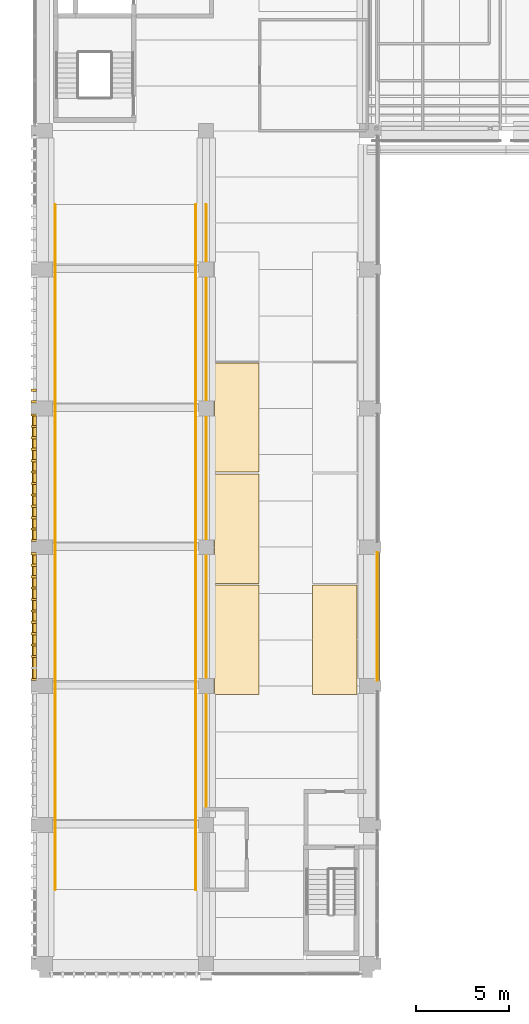
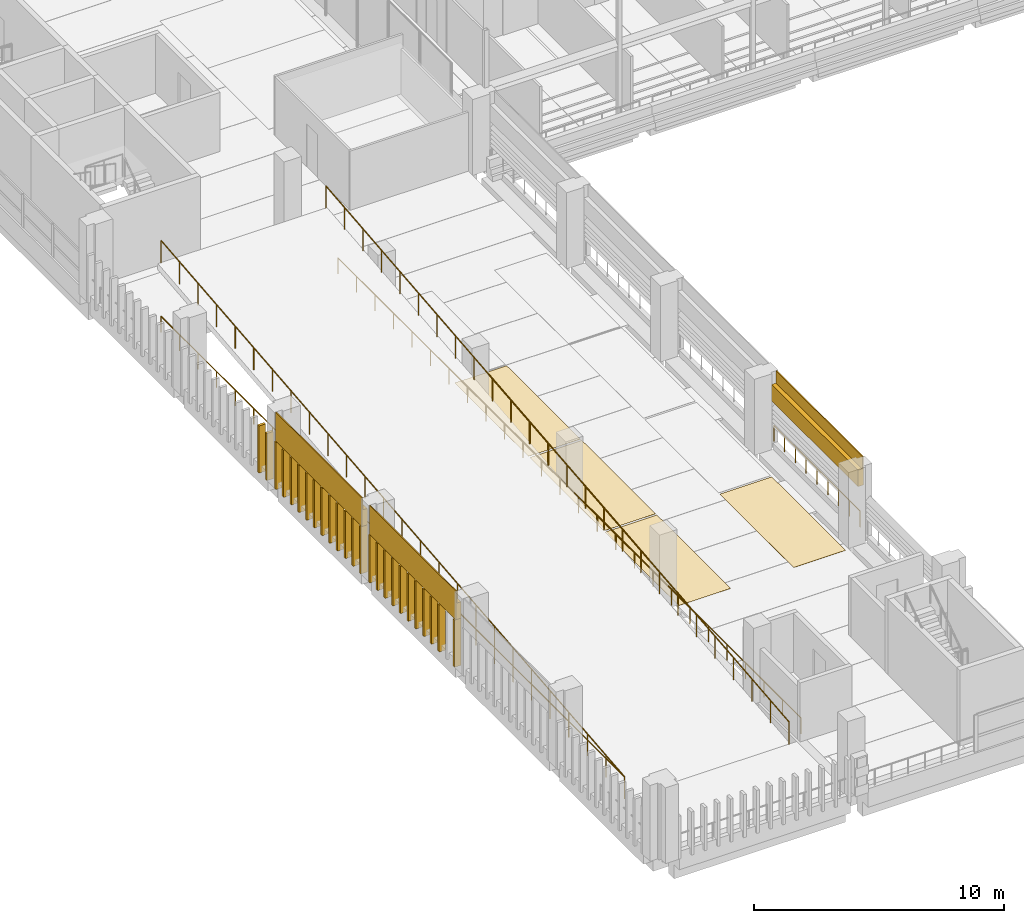
# One storey, part 49 of 62: 32 coverings, 5 railings.
"""IFC4 building model written with IfcOpenShell, lengths in metres."""

from ifc_helpers import new_model, si_unit, direction, frame, origin, origin_2d, place, context, subcontext, project, spatial, polyline, circle, outline, extrude, material, layer, layer_set, type_object, element, save


model = new_model("IFC4")

# Units and contexts
model_context = context("Model", 3, precision=1e-05, world=origin(), true_north=direction((0.0, 1.0)))
body_context = subcontext(model_context, "Body", "Model", "MODEL_VIEW")
ifc_project = project(units=[si_unit("LENGTHUNIT", "METRE"), si_unit("AREAUNIT", "SQUARE_METRE"), si_unit("VOLUMEUNIT", "CUBIC_METRE"), si_unit("PLANEANGLEUNIT", "RADIAN"), si_unit("MASSUNIT", "GRAM", prefix="KILO")], contexts=[model_context])

# Site, building, storey
site_placement = place(None, origin())
site = spatial("IfcSite", under=ifc_project, at=site_placement, CompositionType="ELEMENT")
building_placement = place(site_placement, origin())
building = spatial("IfcBuilding", under=site, at=building_placement, Name="Cour d'Honneur Mobility Palace", CompositionType="ELEMENT")
storey_placement = place(building_placement, frame((0.0, 0.0, 19.300048828125)))
storey = spatial("IfcBuildingStorey", under=building, at=storey_placement, Name="L05", CompositionType="ELEMENT", Elevation=19.300048828125)

# Railing
ifc_material_1 = material(Name="Painted steel", Category="steel")
railing_type_1 = type_object("IfcRailingType", Name="Balustrade", PredefinedType="BALUSTRADE", material=ifc_material_1)
railing_1_placement = place(storey_placement, frame((17.949951171875, 15.300048828125, 0.300048828125)))
element("IfcRailing", 1, at=railing_1_placement, inside=storey, type_object=railing_type_1, Name="Balustrade BAL-265", PredefinedType="BALUSTRADE", context=body_context, shape_type="SweptSolid", body=[
    extrude(circle(Radius=0.02392578125, at=origin_2d()), frame((0.0, 0.0, 0.77587890625), z_axis=(0.0, 1.0, 0.0), x_axis=(-1.0, 0.0, 0.0)), (0.0, 0.0, 1.0), 6.89990234375),
    extrude(circle(Radius=0.02099609375, at=origin_2d()), origin(), (0.0, 0.0, 1.0), 0.751953125),
    extrude(circle(Radius=0.02099609375, at=origin_2d()), frame((0.0, 0.862548828125, 0.0)), (0.0, 0.0, 1.0), 0.751953125),
    extrude(circle(Radius=0.02099609375, at=origin_2d()), frame((0.0, 1.72509765625, 0.0)), (0.0, 0.0, 1.0), 0.751953125),
    extrude(circle(Radius=0.02099609375, at=origin_2d()), frame((0.0, 2.58740234375, 0.0)), (0.0, 0.0, 1.0), 0.751953125),
    extrude(circle(Radius=0.02099609375, at=origin_2d()), frame((0.0, 3.449951171875, 0.0)), (0.0, 0.0, 1.0), 0.751953125),
    extrude(circle(Radius=0.02099609375, at=origin_2d()), frame((0.0, 4.3125, 0.0)), (0.0, 0.0, 1.0), 0.751953125),
    extrude(circle(Radius=0.02099609375, at=origin_2d()), frame((0.0, 5.1748046875, 0.0)), (0.0, 0.0, 1.0), 0.751953125),
    extrude(circle(Radius=0.02099609375, at=origin_2d()), frame((0.0, 6.037353515625, 0.0)), (0.0, 0.0, 1.0), 0.751953125),
    extrude(circle(Radius=0.02099609375, at=origin_2d()), frame((0.0, 6.89990234375, 0.0)), (0.0, 0.0, 1.0), 0.751953125),
])

# Coverings
ifc_material_2 = material(Name="Parking marking paint")
ifc_layer_1 = layer(ifc_material_2, 0.0048828125)
ifc_layer_set_1 = layer_set([ifc_layer_1], Name="Parking marking paint")
covering_type_1 = type_object("IfcCoveringType", Name="Parking bay marking", PredefinedType="FLOORING", material=ifc_layer_set_1)
covering_1_placement = place(storey_placement, origin())
element("IfcCovering", 2, at=covering_1_placement, inside=storey, type_object=covering_type_1, Name="Parking bay marking L05 9", PredefinedType="FLOORING", context=body_context, shape_type="SweptSolid", body=[
    extrude(outline(polyline([(11.550048828125, 14.550048828125), (9.14990234375, 14.550048828125), (9.14990234375, 20.449951171875), (11.550048828125, 20.449951171875), (11.550048828125, 14.550048828125)])), origin(), (0.0, 0.0, 1.0), 0.0048828125),
])
covering_2_placement = place(storey_placement, origin())
element("IfcCovering", 3, at=covering_2_placement, inside=storey, type_object=covering_type_1, Name="Parking bay marking L05 10", PredefinedType="FLOORING", context=body_context, shape_type="SweptSolid", body=[
    extrude(outline(polyline([(11.550048828125, 20.550048828125), (9.14990234375, 20.550048828125), (9.14990234375, 26.449951171875), (11.550048828125, 26.449951171875), (11.550048828125, 20.550048828125)])), origin(), (0.0, 0.0, 1.0), 0.0048828125),
])
covering_3_placement = place(storey_placement, origin())
element("IfcCovering", 4, at=covering_3_placement, inside=storey, type_object=covering_type_1, Name="Parking bay marking L05 11", PredefinedType="FLOORING", context=body_context, shape_type="SweptSolid", body=[
    extrude(outline(polyline([(11.550048828125, 26.550048828125), (9.14990234375, 26.550048828125), (9.14990234375, 32.449951171875), (11.550048828125, 32.449951171875), (11.550048828125, 26.550048828125)])), origin(), (0.0, 0.0, 1.0), 0.0048828125),
])
covering_4_placement = place(storey_placement, origin())
element("IfcCovering", 5, at=covering_4_placement, inside=storey, type_object=covering_type_1, Name="Parking bay marking L05 13", PredefinedType="FLOORING", context=body_context, shape_type="SweptSolid", body=[
    extrude(outline(polyline([(16.85009765625, 14.550048828125), (14.449951171875, 14.550048828125), (14.449951171875, 20.449951171875), (16.85009765625, 20.449951171875), (16.85009765625, 14.550048828125)])), origin(), (0.0, 0.0, 1.0), 0.0048828125),
])

# Railings
ifc_material_3 = material(Name="Painted steel", Category="steel")
railing_type_2 = type_object("IfcRailingType", Name="Ramp guard 1100", PredefinedType="GUARDRAIL", material=ifc_material_3)
railing_2_placement = place(storey_placement, frame((0.550048828125, 4.0, 0.0)))
element("IfcRailing", 6, at=railing_2_placement, inside=storey, type_object=railing_type_2, Name="Ramp guard Ramp West 6", PredefinedType="GUARDRAIL", context=body_context, shape_type="SweptSolid", body=[
    extrude(circle(Radius=0.02490234375, at=origin_2d()), frame((0.0, 0.0, 1.0751953125), z_axis=(0.0, 0.995037320222, 0.099502418892), x_axis=(-1.0, 0.0, 0.0)), (0.0, 0.0, 1.0), 37.1845703125),
    extrude(circle(Radius=0.02099609375, at=origin_2d()), origin(), (0.0, 0.0, 1.0), 1.050048828125),
    extrude(circle(Radius=0.02099609375, at=origin_2d()), frame((0.0, 1.47998046875, 0.14794921875)), (0.0, 0.0, 1.0), 1.050048828125),
    extrude(circle(Radius=0.02099609375, at=origin_2d()), frame((0.0, 2.9599609375, 0.2958984375)), (0.0, 0.0, 1.0), 1.050048828125),
    extrude(circle(Radius=0.02099609375, at=origin_2d()), frame((0.0, 4.43994140625, 0.444091796875)), (0.0, 0.0, 1.0), 1.050048828125),
    extrude(circle(Radius=0.02099609375, at=origin_2d()), frame((0.0, 5.919921875, 0.592041015625)), (0.0, 0.0, 1.0), 1.050048828125),
    extrude(circle(Radius=0.02099609375, at=origin_2d()), frame((0.0, 7.39990234375, 0.739990234375)), (0.0, 0.0, 1.0), 1.050048828125),
    extrude(circle(Radius=0.02099609375, at=origin_2d()), frame((0.0, 8.8798828125, 0.887939453125)), (0.0, 0.0, 1.0), 1.050048828125),
    extrude(circle(Radius=0.02099609375, at=origin_2d()), frame((0.0, 10.360107421875, 1.035888671875)), (0.0, 0.0, 1.0), 1.050048828125),
    extrude(circle(Radius=0.02099609375, at=origin_2d()), frame((0.0, 11.840087890625, 1.18408203125)), (0.0, 0.0, 1.0), 1.050048828125),
    extrude(circle(Radius=0.02099609375, at=origin_2d()), frame((0.0, 13.320068359375, 1.33203125)), (0.0, 0.0, 1.0), 1.050048828125),
    extrude(circle(Radius=0.02099609375, at=origin_2d()), frame((0.0, 14.800048828125, 1.47998046875)), (0.0, 0.0, 1.0), 1.050048828125),
    extrude(circle(Radius=0.02099609375, at=origin_2d()), frame((0.0, 16.280029296875, 1.6279296875)), (0.0, 0.0, 1.0), 1.050048828125),
    extrude(circle(Radius=0.02099609375, at=origin_2d()), frame((0.0, 17.760009765625, 1.77587890625)), (0.0, 0.0, 1.0), 1.050048828125),
    extrude(circle(Radius=0.02099609375, at=origin_2d()), frame((0.0, 19.239990234375, 1.924072265625)), (0.0, 0.0, 1.0), 1.050048828125),
    extrude(circle(Radius=0.02099609375, at=origin_2d()), frame((0.0, 20.719970703125, 2.072021484375)), (0.0, 0.0, 1.0), 1.050048828125),
    extrude(circle(Radius=0.02099609375, at=origin_2d()), frame((0.0, 22.199951171875, 2.219970703125)), (0.0, 0.0, 1.0), 1.050048828125),
    extrude(circle(Radius=0.02099609375, at=origin_2d()), frame((0.0, 23.679931640625, 2.367919921875)), (0.0, 0.0, 1.0), 1.050048828125),
    extrude(circle(Radius=0.02099609375, at=origin_2d()), frame((0.0, 25.159912109375, 2.515869140625)), (0.0, 0.0, 1.0), 1.050048828125),
    extrude(circle(Radius=0.02099609375, at=origin_2d()), frame((0.0, 26.639892578125, 2.6640625)), (0.0, 0.0, 1.0), 1.050048828125),
    extrude(circle(Radius=0.02099609375, at=origin_2d()), frame((0.0, 28.1201171875, 2.81201171875)), (0.0, 0.0, 1.0), 1.050048828125),
    extrude(circle(Radius=0.02099609375, at=origin_2d()), frame((0.0, 29.60009765625, 2.9599609375)), (0.0, 0.0, 1.0), 1.050048828125),
    extrude(circle(Radius=0.02099609375, at=origin_2d()), frame((0.0, 31.080078125, 3.10791015625)), (0.0, 0.0, 1.0), 1.050048828125),
    extrude(circle(Radius=0.02099609375, at=origin_2d()), frame((0.0, 32.56005859375, 3.255859375)), (0.0, 0.0, 1.0), 1.050048828125),
    extrude(circle(Radius=0.02099609375, at=origin_2d()), frame((0.0, 34.0400390625, 3.404052734375)), (0.0, 0.0, 1.0), 1.050048828125),
    extrude(circle(Radius=0.02099609375, at=origin_2d()), frame((0.0, 35.52001953125, 3.552001953125)), (0.0, 0.0, 1.0), 1.050048828125),
    extrude(circle(Radius=0.02099609375, at=origin_2d()), frame((0.0, 37.0, 3.699951171875)), (0.0, 0.0, 1.0), 1.050048828125),
])
railing_3_placement = place(storey_placement, frame((8.14990234375, 4.0, 0.0)))
element("IfcRailing", 7, at=railing_3_placement, inside=storey, type_object=railing_type_2, Name="Ramp guard Ramp West 6", PredefinedType="GUARDRAIL", context=body_context, shape_type="SweptSolid", body=[
    extrude(circle(Radius=0.02490234375, at=origin_2d()), frame((0.0, 0.0, 1.0751953125), z_axis=(0.0, 0.995037320222, 0.099502418892), x_axis=(-1.0, 0.0, 0.0)), (0.0, 0.0, 1.0), 37.1845703125),
    extrude(circle(Radius=0.02099609375, at=origin_2d()), origin(), (0.0, 0.0, 1.0), 1.050048828125),
    extrude(circle(Radius=0.02099609375, at=origin_2d()), frame((0.0, 1.47998046875, 0.14794921875)), (0.0, 0.0, 1.0), 1.050048828125),
    extrude(circle(Radius=0.02099609375, at=origin_2d()), frame((0.0, 2.9599609375, 0.2958984375)), (0.0, 0.0, 1.0), 1.050048828125),
    extrude(circle(Radius=0.02099609375, at=origin_2d()), frame((0.0, 4.43994140625, 0.444091796875)), (0.0, 0.0, 1.0), 1.050048828125),
    extrude(circle(Radius=0.02099609375, at=origin_2d()), frame((0.0, 5.919921875, 0.592041015625)), (0.0, 0.0, 1.0), 1.050048828125),
    extrude(circle(Radius=0.02099609375, at=origin_2d()), frame((0.0, 7.39990234375, 0.739990234375)), (0.0, 0.0, 1.0), 1.050048828125),
    extrude(circle(Radius=0.02099609375, at=origin_2d()), frame((0.0, 8.8798828125, 0.887939453125)), (0.0, 0.0, 1.0), 1.050048828125),
    extrude(circle(Radius=0.02099609375, at=origin_2d()), frame((0.0, 10.360107421875, 1.035888671875)), (0.0, 0.0, 1.0), 1.050048828125),
    extrude(circle(Radius=0.02099609375, at=origin_2d()), frame((0.0, 11.840087890625, 1.18408203125)), (0.0, 0.0, 1.0), 1.050048828125),
    extrude(circle(Radius=0.02099609375, at=origin_2d()), frame((0.0, 13.320068359375, 1.33203125)), (0.0, 0.0, 1.0), 1.050048828125),
    extrude(circle(Radius=0.02099609375, at=origin_2d()), frame((0.0, 14.800048828125, 1.47998046875)), (0.0, 0.0, 1.0), 1.050048828125),
    extrude(circle(Radius=0.02099609375, at=origin_2d()), frame((0.0, 16.280029296875, 1.6279296875)), (0.0, 0.0, 1.0), 1.050048828125),
    extrude(circle(Radius=0.02099609375, at=origin_2d()), frame((0.0, 17.760009765625, 1.77587890625)), (0.0, 0.0, 1.0), 1.050048828125),
    extrude(circle(Radius=0.02099609375, at=origin_2d()), frame((0.0, 19.239990234375, 1.924072265625)), (0.0, 0.0, 1.0), 1.050048828125),
    extrude(circle(Radius=0.02099609375, at=origin_2d()), frame((0.0, 20.719970703125, 2.072021484375)), (0.0, 0.0, 1.0), 1.050048828125),
    extrude(circle(Radius=0.02099609375, at=origin_2d()), frame((0.0, 22.199951171875, 2.219970703125)), (0.0, 0.0, 1.0), 1.050048828125),
    extrude(circle(Radius=0.02099609375, at=origin_2d()), frame((0.0, 23.679931640625, 2.367919921875)), (0.0, 0.0, 1.0), 1.050048828125),
    extrude(circle(Radius=0.02099609375, at=origin_2d()), frame((0.0, 25.159912109375, 2.515869140625)), (0.0, 0.0, 1.0), 1.050048828125),
    extrude(circle(Radius=0.02099609375, at=origin_2d()), frame((0.0, 26.639892578125, 2.6640625)), (0.0, 0.0, 1.0), 1.050048828125),
    extrude(circle(Radius=0.02099609375, at=origin_2d()), frame((0.0, 28.1201171875, 2.81201171875)), (0.0, 0.0, 1.0), 1.050048828125),
    extrude(circle(Radius=0.02099609375, at=origin_2d()), frame((0.0, 29.60009765625, 2.9599609375)), (0.0, 0.0, 1.0), 1.050048828125),
    extrude(circle(Radius=0.02099609375, at=origin_2d()), frame((0.0, 31.080078125, 3.10791015625)), (0.0, 0.0, 1.0), 1.050048828125),
    extrude(circle(Radius=0.02099609375, at=origin_2d()), frame((0.0, 32.56005859375, 3.255859375)), (0.0, 0.0, 1.0), 1.050048828125),
    extrude(circle(Radius=0.02099609375, at=origin_2d()), frame((0.0, 34.0400390625, 3.404052734375)), (0.0, 0.0, 1.0), 1.050048828125),
    extrude(circle(Radius=0.02099609375, at=origin_2d()), frame((0.0, 35.52001953125, 3.552001953125)), (0.0, 0.0, 1.0), 1.050048828125),
    extrude(circle(Radius=0.02099609375, at=origin_2d()), frame((0.0, 37.0, 3.699951171875)), (0.0, 0.0, 1.0), 1.050048828125),
])

# Coverings
ifc_material_4 = material(Name="Cast limestone", Category="masonry")
ifc_layer_2 = layer(ifc_material_4, 0.1201171875)
ifc_layer_set_2 = layer_set([ifc_layer_2], Name="Cast limestone")
covering_type_2 = type_object("IfcCoveringType", Name="Ramp screen fin", PredefinedType="CLADDING", material=ifc_layer_set_2)
covering_5_placement = place(storey_placement, origin())
element("IfcCovering", 8, at=covering_5_placement, inside=storey, type_object=covering_type_2, Name="Ramp screen fin W3.2 L05 11", PredefinedType="CLADDING", context=body_context, shape_type="SweptSolid", body=[
    extrude(outline(polyline([(-0.449951171875, 31.036376953125), (-0.449951171875, 30.916259765625), (-0.75, 30.916259765625), (-0.75, 31.036376953125), (-0.449951171875, 31.036376953125)])), origin(), (0.0, 0.0, 1.0), 2.300048828125),
])
covering_6_placement = place(storey_placement, origin())
element("IfcCovering", 9, at=covering_6_placement, inside=storey, type_object=covering_type_2, Name="Ramp screen fin W3.2 L05 12", PredefinedType="CLADDING", context=body_context, shape_type="SweptSolid", body=[
    extrude(outline(polyline([(-0.449951171875, 30.419921875), (-0.449951171875, 30.300048828125), (-0.75, 30.300048828125), (-0.75, 30.419921875), (-0.449951171875, 30.419921875)])), origin(), (0.0, 0.0, 1.0), 2.300048828125),
])
covering_7_placement = place(storey_placement, origin())
element("IfcCovering", 10, at=covering_7_placement, inside=storey, type_object=covering_type_2, Name="Ramp screen fin W3.3 L05 1", PredefinedType="CLADDING", context=body_context, shape_type="SweptSolid", body=[
    extrude(outline(polyline([(-0.449951171875, 29.699951171875), (-0.449951171875, 29.580078125), (-0.75, 29.580078125), (-0.75, 29.699951171875), (-0.449951171875, 29.699951171875)])), origin(), (0.0, 0.0, 1.0), 2.300048828125),
])
covering_8_placement = place(storey_placement, origin())
element("IfcCovering", 11, at=covering_8_placement, inside=storey, type_object=covering_type_2, Name="Ramp screen fin W3.3 L05 2", PredefinedType="CLADDING", context=body_context, shape_type="SweptSolid", body=[
    extrude(outline(polyline([(-0.449951171875, 29.083740234375), (-0.449951171875, 28.963623046875), (-0.75, 28.963623046875), (-0.75, 29.083740234375), (-0.449951171875, 29.083740234375)])), origin(), (0.0, 0.0, 1.0), 2.300048828125),
])
covering_9_placement = place(storey_placement, origin())
element("IfcCovering", 12, at=covering_9_placement, inside=storey, type_object=covering_type_2, Name="Ramp screen fin W3.3 L05 3", PredefinedType="CLADDING", context=body_context, shape_type="SweptSolid", body=[
    extrude(outline(polyline([(-0.449951171875, 28.46728515625), (-0.449951171875, 28.34716796875), (-0.75, 28.34716796875), (-0.75, 28.46728515625), (-0.449951171875, 28.46728515625)])), origin(), (0.0, 0.0, 1.0), 2.300048828125),
])
covering_10_placement = place(storey_placement, origin())
element("IfcCovering", 13, at=covering_10_placement, inside=storey, type_object=covering_type_2, Name="Ramp screen fin W3.3 L05 4", PredefinedType="CLADDING", context=body_context, shape_type="SweptSolid", body=[
    extrude(outline(polyline([(-0.449951171875, 27.850830078125), (-0.449951171875, 27.73095703125), (-0.75, 27.73095703125), (-0.75, 27.850830078125), (-0.449951171875, 27.850830078125)])), origin(), (0.0, 0.0, 1.0), 2.300048828125),
])
covering_11_placement = place(storey_placement, origin())
element("IfcCovering", 14, at=covering_11_placement, inside=storey, type_object=covering_type_2, Name="Ramp screen fin W3.3 L05 5", PredefinedType="CLADDING", context=body_context, shape_type="SweptSolid", body=[
    extrude(outline(polyline([(-0.449951171875, 27.234619140625), (-0.449951171875, 27.114501953125), (-0.75, 27.114501953125), (-0.75, 27.234619140625), (-0.449951171875, 27.234619140625)])), origin(), (0.0, 0.0, 1.0), 2.300048828125),
])
covering_12_placement = place(storey_placement, origin())
element("IfcCovering", 15, at=covering_12_placement, inside=storey, type_object=covering_type_2, Name="Ramp screen fin W3.3 L05 6", PredefinedType="CLADDING", context=body_context, shape_type="SweptSolid", body=[
    extrude(outline(polyline([(-0.449951171875, 26.6181640625), (-0.449951171875, 26.498291015625), (-0.75, 26.498291015625), (-0.75, 26.6181640625), (-0.449951171875, 26.6181640625)])), origin(), (0.0, 0.0, 1.0), 2.300048828125),
])
covering_13_placement = place(storey_placement, origin())
element("IfcCovering", 16, at=covering_13_placement, inside=storey, type_object=covering_type_2, Name="Ramp screen fin W3.3 L05 7", PredefinedType="CLADDING", context=body_context, shape_type="SweptSolid", body=[
    extrude(outline(polyline([(-0.449951171875, 26.001708984375), (-0.449951171875, 25.8818359375), (-0.75, 25.8818359375), (-0.75, 26.001708984375), (-0.449951171875, 26.001708984375)])), origin(), (0.0, 0.0, 1.0), 2.300048828125),
])
covering_14_placement = place(storey_placement, origin())
element("IfcCovering", 17, at=covering_14_placement, inside=storey, type_object=covering_type_2, Name="Ramp screen fin W3.3 L05 8", PredefinedType="CLADDING", context=body_context, shape_type="SweptSolid", body=[
    extrude(outline(polyline([(-0.449951171875, 25.385498046875), (-0.449951171875, 25.265380859375), (-0.75, 25.265380859375), (-0.75, 25.385498046875), (-0.449951171875, 25.385498046875)])), origin(), (0.0, 0.0, 1.0), 2.300048828125),
])
covering_15_placement = place(storey_placement, origin())
element("IfcCovering", 18, at=covering_15_placement, inside=storey, type_object=covering_type_2, Name="Ramp screen fin W3.3 L05 9", PredefinedType="CLADDING", context=body_context, shape_type="SweptSolid", body=[
    extrude(outline(polyline([(-0.449951171875, 24.76904296875), (-0.449951171875, 24.649169921875), (-0.75, 24.649169921875), (-0.75, 24.76904296875), (-0.449951171875, 24.76904296875)])), origin(), (0.0, 0.0, 1.0), 2.300048828125),
])
covering_16_placement = place(storey_placement, origin())
element("IfcCovering", 19, at=covering_16_placement, inside=storey, type_object=covering_type_2, Name="Ramp screen fin W3.3 L05 10", PredefinedType="CLADDING", context=body_context, shape_type="SweptSolid", body=[
    extrude(outline(polyline([(-0.449951171875, 24.15283203125), (-0.449951171875, 24.03271484375), (-0.75, 24.03271484375), (-0.75, 24.15283203125), (-0.449951171875, 24.15283203125)])), origin(), (0.0, 0.0, 1.0), 2.300048828125),
])
covering_17_placement = place(storey_placement, origin())
element("IfcCovering", 20, at=covering_17_placement, inside=storey, type_object=covering_type_2, Name="Ramp screen fin W3.3 L05 11", PredefinedType="CLADDING", context=body_context, shape_type="SweptSolid", body=[
    extrude(outline(polyline([(-0.449951171875, 23.536376953125), (-0.449951171875, 23.416259765625), (-0.75, 23.416259765625), (-0.75, 23.536376953125), (-0.449951171875, 23.536376953125)])), origin(), (0.0, 0.0, 1.0), 2.300048828125),
])
covering_18_placement = place(storey_placement, origin())
element("IfcCovering", 21, at=covering_18_placement, inside=storey, type_object=covering_type_2, Name="Ramp screen fin W3.3 L05 12", PredefinedType="CLADDING", context=body_context, shape_type="SweptSolid", body=[
    extrude(outline(polyline([(-0.449951171875, 22.919921875), (-0.449951171875, 22.800048828125), (-0.75, 22.800048828125), (-0.75, 22.919921875), (-0.449951171875, 22.919921875)])), origin(), (0.0, 0.0, 1.0), 2.300048828125),
])
covering_19_placement = place(storey_placement, origin())
element("IfcCovering", 22, at=covering_19_placement, inside=storey, type_object=covering_type_2, Name="Ramp screen fin W3.4 L05 1", PredefinedType="CLADDING", context=body_context, shape_type="SweptSolid", body=[
    extrude(outline(polyline([(-0.449951171875, 22.199951171875), (-0.449951171875, 22.080078125), (-0.75, 22.080078125), (-0.75, 22.199951171875), (-0.449951171875, 22.199951171875)])), origin(), (0.0, 0.0, 1.0), 2.300048828125),
])
covering_20_placement = place(storey_placement, origin())
element("IfcCovering", 23, at=covering_20_placement, inside=storey, type_object=covering_type_2, Name="Ramp screen fin W3.4 L05 2", PredefinedType="CLADDING", context=body_context, shape_type="SweptSolid", body=[
    extrude(outline(polyline([(-0.449951171875, 21.583740234375), (-0.449951171875, 21.463623046875), (-0.75, 21.463623046875), (-0.75, 21.583740234375), (-0.449951171875, 21.583740234375)])), origin(), (0.0, 0.0, 1.0), 2.300048828125),
])
covering_21_placement = place(storey_placement, origin())
element("IfcCovering", 24, at=covering_21_placement, inside=storey, type_object=covering_type_2, Name="Ramp screen fin W3.4 L05 3", PredefinedType="CLADDING", context=body_context, shape_type="SweptSolid", body=[
    extrude(outline(polyline([(-0.449951171875, 20.96728515625), (-0.449951171875, 20.84716796875), (-0.75, 20.84716796875), (-0.75, 20.96728515625), (-0.449951171875, 20.96728515625)])), origin(), (0.0, 0.0, 1.0), 2.300048828125),
])
covering_22_placement = place(storey_placement, origin())
element("IfcCovering", 25, at=covering_22_placement, inside=storey, type_object=covering_type_2, Name="Ramp screen fin W3.4 L05 4", PredefinedType="CLADDING", context=body_context, shape_type="SweptSolid", body=[
    extrude(outline(polyline([(-0.449951171875, 20.350830078125), (-0.449951171875, 20.23095703125), (-0.75, 20.23095703125), (-0.75, 20.350830078125), (-0.449951171875, 20.350830078125)])), origin(), (0.0, 0.0, 1.0), 2.300048828125),
])
covering_23_placement = place(storey_placement, origin())
element("IfcCovering", 26, at=covering_23_placement, inside=storey, type_object=covering_type_2, Name="Ramp screen fin W3.4 L05 5", PredefinedType="CLADDING", context=body_context, shape_type="SweptSolid", body=[
    extrude(outline(polyline([(-0.449951171875, 19.734619140625), (-0.449951171875, 19.614501953125), (-0.75, 19.614501953125), (-0.75, 19.734619140625), (-0.449951171875, 19.734619140625)])), origin(), (0.0, 0.0, 1.0), 2.300048828125),
])
covering_24_placement = place(storey_placement, origin())
element("IfcCovering", 27, at=covering_24_placement, inside=storey, type_object=covering_type_2, Name="Ramp screen fin W3.4 L05 6", PredefinedType="CLADDING", context=body_context, shape_type="SweptSolid", body=[
    extrude(outline(polyline([(-0.449951171875, 19.1181640625), (-0.449951171875, 18.998291015625), (-0.75, 18.998291015625), (-0.75, 19.1181640625), (-0.449951171875, 19.1181640625)])), origin(), (0.0, 0.0, 1.0), 2.300048828125),
])
covering_25_placement = place(storey_placement, origin())
element("IfcCovering", 28, at=covering_25_placement, inside=storey, type_object=covering_type_2, Name="Ramp screen fin W3.4 L05 7", PredefinedType="CLADDING", context=body_context, shape_type="SweptSolid", body=[
    extrude(outline(polyline([(-0.449951171875, 18.501708984375), (-0.449951171875, 18.3818359375), (-0.75, 18.3818359375), (-0.75, 18.501708984375), (-0.449951171875, 18.501708984375)])), origin(), (0.0, 0.0, 1.0), 2.300048828125),
])
covering_26_placement = place(storey_placement, origin())
element("IfcCovering", 29, at=covering_26_placement, inside=storey, type_object=covering_type_2, Name="Ramp screen fin W3.4 L05 8", PredefinedType="CLADDING", context=body_context, shape_type="SweptSolid", body=[
    extrude(outline(polyline([(-0.449951171875, 17.885498046875), (-0.449951171875, 17.765380859375), (-0.75, 17.765380859375), (-0.75, 17.885498046875), (-0.449951171875, 17.885498046875)])), origin(), (0.0, 0.0, 1.0), 2.300048828125),
])
covering_27_placement = place(storey_placement, origin())
element("IfcCovering", 30, at=covering_27_placement, inside=storey, type_object=covering_type_2, Name="Ramp screen fin W3.4 L05 9", PredefinedType="CLADDING", context=body_context, shape_type="SweptSolid", body=[
    extrude(outline(polyline([(-0.449951171875, 17.26904296875), (-0.449951171875, 17.149169921875), (-0.75, 17.149169921875), (-0.75, 17.26904296875), (-0.449951171875, 17.26904296875)])), origin(), (0.0, 0.0, 1.0), 2.300048828125),
])
covering_28_placement = place(storey_placement, origin())
element("IfcCovering", 31, at=covering_28_placement, inside=storey, type_object=covering_type_2, Name="Ramp screen fin W3.4 L05 10", PredefinedType="CLADDING", context=body_context, shape_type="SweptSolid", body=[
    extrude(outline(polyline([(-0.449951171875, 16.65283203125), (-0.449951171875, 16.53271484375), (-0.75, 16.53271484375), (-0.75, 16.65283203125), (-0.449951171875, 16.65283203125)])), origin(), (0.0, 0.0, 1.0), 2.300048828125),
])
covering_29_placement = place(storey_placement, origin())
element("IfcCovering", 32, at=covering_29_placement, inside=storey, type_object=covering_type_2, Name="Ramp screen fin W3.4 L05 12", PredefinedType="CLADDING", context=body_context, shape_type="SweptSolid", body=[
    extrude(outline(polyline([(-0.449951171875, 15.419921875), (-0.449951171875, 15.300048828125), (-0.75, 15.300048828125), (-0.75, 15.419921875), (-0.449951171875, 15.419921875)])), origin(), (0.0, 0.0, 1.0), 2.300048828125),
])
ifc_material_5 = material(Name="Cast limestone", Category="masonry")
ifc_layer_3 = layer(ifc_material_5, 0.25)
ifc_layer_set_3 = layer_set([ifc_layer_3], Name="Cast limestone")
covering_type_3 = type_object("IfcCoveringType", Name="Spandrel cladding", PredefinedType="CLADDING", material=ifc_layer_set_3)
for number, where, z_axis, x_axis, name in (
    (33, (17.85009765625, 15.300048828125, 2.300048828125), (0.0, -1.0, 0.0), (1.0, 0.0, 0.0), "Spandrel cladding SK-346"),
    (34, (-0.449951171875, 29.699951171875, 2.300048828125), (0.0, 1.0, 0.0), (-1.0, 0.0, 0.0), "Spandrel cladding SK-350"),
    (35, (-0.449951171875, 22.199951171875, 2.300048828125), (0.0, 1.0, 0.0), (-1.0, 0.0, 0.0), "Spandrel cladding SK-351"),
):
    element("IfcCovering", number, at=place(storey_placement, frame(where, z_axis=z_axis, x_axis=x_axis)), inside=storey, type_object=covering_type_3, Name=name, PredefinedType="CLADDING", context=body_context, shape_type="SweptSolid", body=[
        extrude(outline(polyline([(0.0, 0.0), (0.25, 0.0), (0.25, 1.39990234375), (0.199951171875, 1.39990234375), (0.199951171875, 0.7998046875), (0.0, 0.7998046875), (0.0, 0.0)])), origin(), (0.0, 0.0, -1.0), 6.89990234375),
    ])

# Railings
ifc_material_6 = material(Name="Painted steel", Category="steel")
railing_type_3 = type_object("IfcRailingType", Name="Void edge guard 1100", PredefinedType="GUARDRAIL", material=ifc_material_6)
railing_4_placement = place(storey_placement, frame((8.699951171875, 4.0, 0.300048828125)))
element("IfcRailing", 36, at=railing_4_placement, inside=storey, type_object=railing_type_3, Name="Void edge guard SW L05", PredefinedType="GUARDRAIL", context=body_context, shape_type="SweptSolid", body=[
    extrude(circle(Radius=0.02490234375, at=origin_2d()), frame((0.0, 0.0, 0.77490234375), z_axis=(0.0, 1.0, 0.0), x_axis=(-1.0, 0.0, 0.0)), (0.0, 0.0, 1.0), 37.0),
    extrude(circle(Radius=0.02099609375, at=origin_2d()), origin(), (0.0, 0.0, 1.0), 0.75),
    extrude(circle(Radius=0.02099609375, at=origin_2d()), frame((0.0, 1.47998046875, 0.0)), (0.0, 0.0, 1.0), 0.75),
    extrude(circle(Radius=0.02099609375, at=origin_2d()), frame((0.0, 2.9599609375, 0.0)), (0.0, 0.0, 1.0), 0.75),
    extrude(circle(Radius=0.02099609375, at=origin_2d()), frame((0.0, 4.43994140625, 0.0)), (0.0, 0.0, 1.0), 0.75),
    extrude(circle(Radius=0.02099609375, at=origin_2d()), frame((0.0, 5.919921875, 0.0)), (0.0, 0.0, 1.0), 0.75),
    extrude(circle(Radius=0.02099609375, at=origin_2d()), frame((0.0, 7.39990234375, 0.0)), (0.0, 0.0, 1.0), 0.75),
    extrude(circle(Radius=0.02099609375, at=origin_2d()), frame((0.0, 8.8798828125, 0.0)), (0.0, 0.0, 1.0), 0.75),
    extrude(circle(Radius=0.02099609375, at=origin_2d()), frame((0.0, 10.360107421875, 0.0)), (0.0, 0.0, 1.0), 0.75),
    extrude(circle(Radius=0.02099609375, at=origin_2d()), frame((0.0, 11.840087890625, 0.0)), (0.0, 0.0, 1.0), 0.75),
    extrude(circle(Radius=0.02099609375, at=origin_2d()), frame((0.0, 13.320068359375, 0.0)), (0.0, 0.0, 1.0), 0.75),
    extrude(circle(Radius=0.02099609375, at=origin_2d()), frame((0.0, 14.800048828125, 0.0)), (0.0, 0.0, 1.0), 0.75),
    extrude(circle(Radius=0.02099609375, at=origin_2d()), frame((0.0, 16.280029296875, 0.0)), (0.0, 0.0, 1.0), 0.75),
    extrude(circle(Radius=0.02099609375, at=origin_2d()), frame((0.0, 17.760009765625, 0.0)), (0.0, 0.0, 1.0), 0.75),
    extrude(circle(Radius=0.02099609375, at=origin_2d()), frame((0.0, 19.239990234375, 0.0)), (0.0, 0.0, 1.0), 0.75),
    extrude(circle(Radius=0.02099609375, at=origin_2d()), frame((0.0, 20.719970703125, 0.0)), (0.0, 0.0, 1.0), 0.75),
    extrude(circle(Radius=0.02099609375, at=origin_2d()), frame((0.0, 22.199951171875, 0.0)), (0.0, 0.0, 1.0), 0.75),
    extrude(circle(Radius=0.02099609375, at=origin_2d()), frame((0.0, 23.679931640625, 0.0)), (0.0, 0.0, 1.0), 0.75),
    extrude(circle(Radius=0.02099609375, at=origin_2d()), frame((0.0, 25.159912109375, 0.0)), (0.0, 0.0, 1.0), 0.75),
    extrude(circle(Radius=0.02099609375, at=origin_2d()), frame((0.0, 26.639892578125, 0.0)), (0.0, 0.0, 1.0), 0.75),
    extrude(circle(Radius=0.02099609375, at=origin_2d()), frame((0.0, 28.1201171875, 0.0)), (0.0, 0.0, 1.0), 0.75),
    extrude(circle(Radius=0.02099609375, at=origin_2d()), frame((0.0, 29.60009765625, 0.0)), (0.0, 0.0, 1.0), 0.75),
    extrude(circle(Radius=0.02099609375, at=origin_2d()), frame((0.0, 31.080078125, 0.0)), (0.0, 0.0, 1.0), 0.75),
    extrude(circle(Radius=0.02099609375, at=origin_2d()), frame((0.0, 32.56005859375, 0.0)), (0.0, 0.0, 1.0), 0.75),
    extrude(circle(Radius=0.02099609375, at=origin_2d()), frame((0.0, 34.0400390625, 0.0)), (0.0, 0.0, 1.0), 0.75),
    extrude(circle(Radius=0.02099609375, at=origin_2d()), frame((0.0, 35.52001953125, 0.0)), (0.0, 0.0, 1.0), 0.75),
    extrude(circle(Radius=0.02099609375, at=origin_2d()), frame((0.0, 37.0, 0.0)), (0.0, 0.0, 1.0), 0.75),
])
railing_5_placement = place(storey_placement, frame((0.550048828125, 4.0, 0.300048828125)))
element("IfcRailing", 37, at=railing_5_placement, inside=storey, type_object=railing_type_3, Name="Void edge guard SW L05", PredefinedType="GUARDRAIL", context=body_context, shape_type="SweptSolid", body=[
    extrude(circle(Radius=0.02490234375, at=origin_2d()), frame((0.0, 0.0, 0.77490234375), z_axis=(0.0, 1.0, 0.0), x_axis=(-1.0, 0.0, 0.0)), (0.0, 0.0, 1.0), 37.0),
    extrude(circle(Radius=0.02099609375, at=origin_2d()), origin(), (0.0, 0.0, 1.0), 0.75),
    extrude(circle(Radius=0.02099609375, at=origin_2d()), frame((0.0, 1.47998046875, 0.0)), (0.0, 0.0, 1.0), 0.75),
    extrude(circle(Radius=0.02099609375, at=origin_2d()), frame((0.0, 2.9599609375, 0.0)), (0.0, 0.0, 1.0), 0.75),
    extrude(circle(Radius=0.02099609375, at=origin_2d()), frame((0.0, 4.43994140625, 0.0)), (0.0, 0.0, 1.0), 0.75),
    extrude(circle(Radius=0.02099609375, at=origin_2d()), frame((0.0, 5.919921875, 0.0)), (0.0, 0.0, 1.0), 0.75),
    extrude(circle(Radius=0.02099609375, at=origin_2d()), frame((0.0, 7.39990234375, 0.0)), (0.0, 0.0, 1.0), 0.75),
    extrude(circle(Radius=0.02099609375, at=origin_2d()), frame((0.0, 8.8798828125, 0.0)), (0.0, 0.0, 1.0), 0.75),
    extrude(circle(Radius=0.02099609375, at=origin_2d()), frame((0.0, 10.360107421875, 0.0)), (0.0, 0.0, 1.0), 0.75),
    extrude(circle(Radius=0.02099609375, at=origin_2d()), frame((0.0, 11.840087890625, 0.0)), (0.0, 0.0, 1.0), 0.75),
    extrude(circle(Radius=0.02099609375, at=origin_2d()), frame((0.0, 13.320068359375, 0.0)), (0.0, 0.0, 1.0), 0.75),
    extrude(circle(Radius=0.02099609375, at=origin_2d()), frame((0.0, 14.800048828125, 0.0)), (0.0, 0.0, 1.0), 0.75),
    extrude(circle(Radius=0.02099609375, at=origin_2d()), frame((0.0, 16.280029296875, 0.0)), (0.0, 0.0, 1.0), 0.75),
    extrude(circle(Radius=0.02099609375, at=origin_2d()), frame((0.0, 17.760009765625, 0.0)), (0.0, 0.0, 1.0), 0.75),
    extrude(circle(Radius=0.02099609375, at=origin_2d()), frame((0.0, 19.239990234375, 0.0)), (0.0, 0.0, 1.0), 0.75),
    extrude(circle(Radius=0.02099609375, at=origin_2d()), frame((0.0, 20.719970703125, 0.0)), (0.0, 0.0, 1.0), 0.75),
    extrude(circle(Radius=0.02099609375, at=origin_2d()), frame((0.0, 22.199951171875, 0.0)), (0.0, 0.0, 1.0), 0.75),
    extrude(circle(Radius=0.02099609375, at=origin_2d()), frame((0.0, 23.679931640625, 0.0)), (0.0, 0.0, 1.0), 0.75),
    extrude(circle(Radius=0.02099609375, at=origin_2d()), frame((0.0, 25.159912109375, 0.0)), (0.0, 0.0, 1.0), 0.75),
    extrude(circle(Radius=0.02099609375, at=origin_2d()), frame((0.0, 26.639892578125, 0.0)), (0.0, 0.0, 1.0), 0.75),
    extrude(circle(Radius=0.02099609375, at=origin_2d()), frame((0.0, 28.1201171875, 0.0)), (0.0, 0.0, 1.0), 0.75),
    extrude(circle(Radius=0.02099609375, at=origin_2d()), frame((0.0, 29.60009765625, 0.0)), (0.0, 0.0, 1.0), 0.75),
    extrude(circle(Radius=0.02099609375, at=origin_2d()), frame((0.0, 31.080078125, 0.0)), (0.0, 0.0, 1.0), 0.75),
    extrude(circle(Radius=0.02099609375, at=origin_2d()), frame((0.0, 32.56005859375, 0.0)), (0.0, 0.0, 1.0), 0.75),
    extrude(circle(Radius=0.02099609375, at=origin_2d()), frame((0.0, 34.0400390625, 0.0)), (0.0, 0.0, 1.0), 0.75),
    extrude(circle(Radius=0.02099609375, at=origin_2d()), frame((0.0, 35.52001953125, 0.0)), (0.0, 0.0, 1.0), 0.75),
    extrude(circle(Radius=0.02099609375, at=origin_2d()), frame((0.0, 37.0, 0.0)), (0.0, 0.0, 1.0), 0.75),
])

save(model, "model.ifc")
